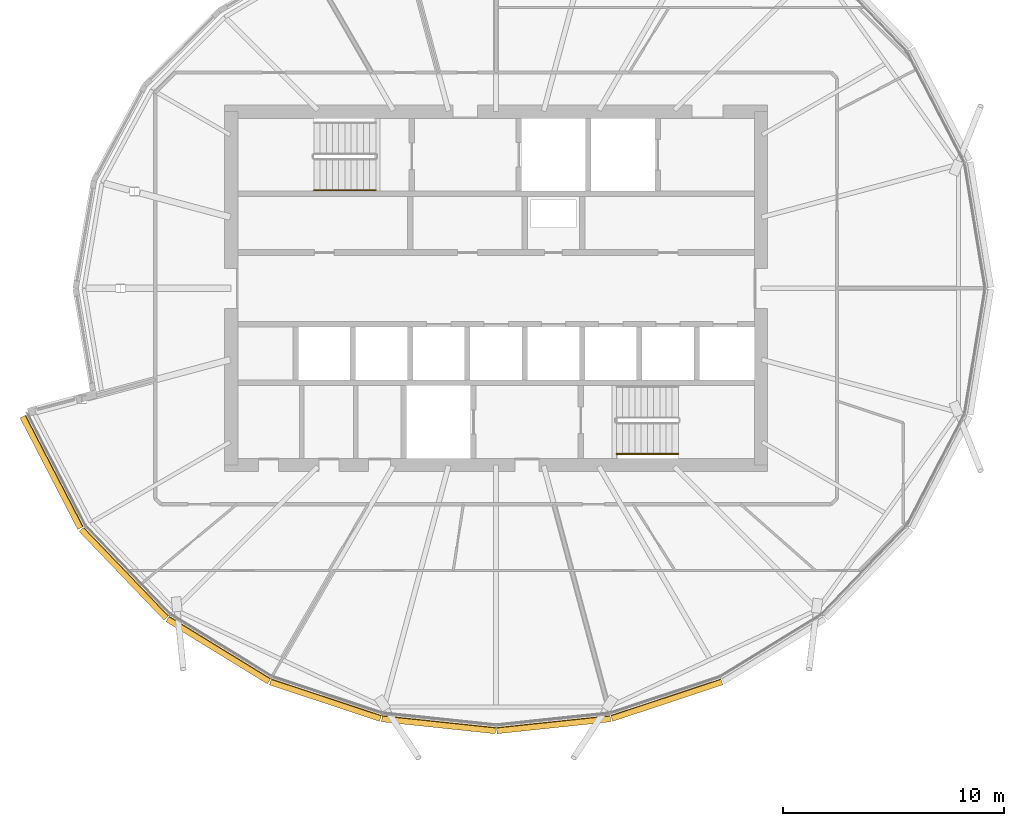
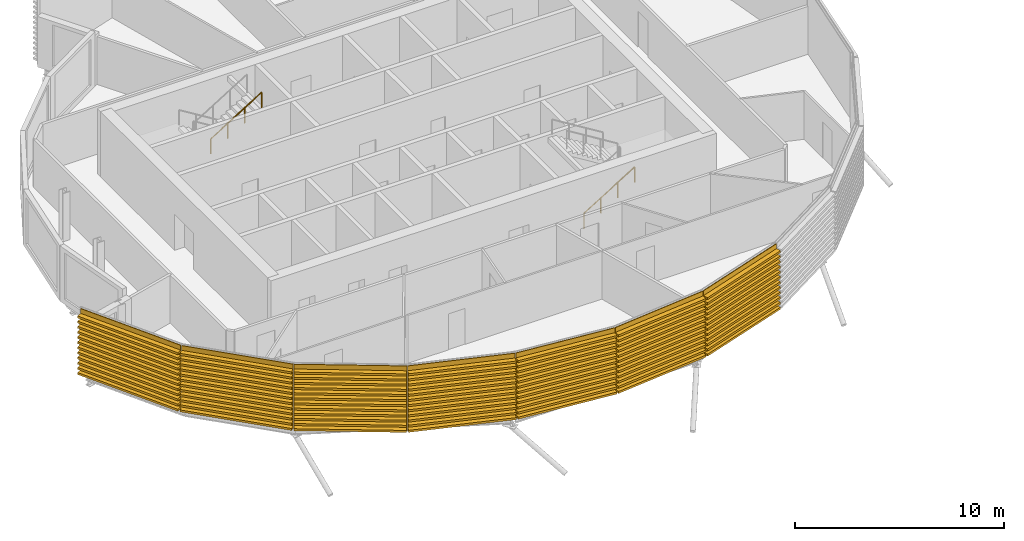
# One storey, part 32 of 37: 7 coverings, 2 railings.
"""IFC4 building model written with IfcOpenShell, lengths in metres."""

from ifc_helpers import new_model, si_unit, direction, frame, origin, origin_2d, place, context, subcontext, project, spatial, polyline, circle, outline, extrude, material, material_profile, profile_set, type_object, element, save


model = new_model("IFC4")

# Units and contexts
model_context = context("Model", 3, precision=1e-05, world=origin(), true_north=direction((0.0, 1.0)))
body_context = subcontext(model_context, "Body", "Model", "MODEL_VIEW")
ifc_project = project(units=[si_unit("LENGTHUNIT", "METRE"), si_unit("AREAUNIT", "SQUARE_METRE"), si_unit("VOLUMEUNIT", "CUBIC_METRE"), si_unit("PLANEANGLEUNIT", "RADIAN"), si_unit("MASSUNIT", "GRAM", prefix="KILO")], contexts=[model_context])

# Site, building, storey
site_placement = place(None, origin())
site = spatial("IfcSite", under=ifc_project, at=site_placement, CompositionType="ELEMENT")
building_placement = place(site_placement, origin())
building = spatial("IfcBuilding", under=site, at=building_placement, Name="Rimbun Link Towers", CompositionType="ELEMENT")
storey_placement = place(building_placement, frame((0.0, 0.0, 177.89990234375)))
storey = spatial("IfcBuildingStorey", under=building, at=storey_placement, Name="L43", CompositionType="ELEMENT", Elevation=177.89990234375)

# Railings
ifc_material_1 = material(Name="Stainless steel grade 316", Category="steel")
railing_type = type_object("IfcRailingType", Name="Stair handrail", PredefinedType="HANDRAIL", material=ifc_material_1)
for number, where, name in (
    (1, (-40.0, 4.449951171875, 2.07275390625), "L43 ST1 stair handrail 2"),
    (2, (-26.300048828125, -7.5, 0.1728515625), "L43 ST2 stair handrail 1"),
):
    element("IfcRailing", number, at=place(storey_placement, frame(where)), inside=storey, type_object=railing_type, Name=name, PredefinedType="HANDRAIL", context=body_context, shape_type="SweptSolid", body=[
        extrude(circle(Radius=0.02392578125, at=origin_2d()), frame((0.0, 0.0, 0.8759765625), z_axis=(0.851089632645, 0.0, 0.525020415988), x_axis=(0.0, 1.0, 0.0)), (0.0, 0.0, 1.0), 3.2900390625),
        extrude(circle(Radius=0.02099609375, at=origin_2d()), origin(), (0.0, 0.0, 1.0), 0.851806640625),
        extrude(circle(Radius=0.02099609375, at=origin_2d()), frame((0.933349609375, 0.0, 0.57568359375)), (0.0, 0.0, 1.0), 0.851806640625),
        extrude(circle(Radius=0.02099609375, at=origin_2d()), frame((1.86669921875, 0.0, 1.151611328125)), (0.0, 0.0, 1.0), 0.851806640625),
        extrude(circle(Radius=0.02099609375, at=origin_2d()), frame((2.800048828125, 0.0, 1.727294921875)), (0.0, 0.0, 1.0), 0.851806640625),
    ])

# Coverings
ifc_material_2 = material(Name="Terracotta", Category="masonry")
ifc_material_profile = material_profile(ifc_material_2, outline(polyline([(0.123046875, 0.0), (0.1630859375, 0.0), (0.1630859375, 0.10009765625), (0.423095703125, 0.10009765625), (0.423095703125, 0.219970703125), (0.1630859375, 0.219970703125), (0.1630859375, 0.39990234375), (0.423095703125, 0.39990234375), (0.423095703125, 0.52001953125), (0.1630859375, 0.52001953125), (0.1630859375, 0.699951171875), (0.423095703125, 0.699951171875), (0.423095703125, 0.820068359375), (0.1630859375, 0.820068359375), (0.1630859375, 1.0), (0.423095703125, 1.0), (0.423095703125, 1.1201171875), (0.1630859375, 1.1201171875), (0.1630859375, 1.300048828125), (0.423095703125, 1.300048828125), (0.423095703125, 1.419921875), (0.1630859375, 1.419921875), (0.1630859375, 1.60009765625), (0.423095703125, 1.60009765625), (0.423095703125, 1.719970703125), (0.1630859375, 1.719970703125), (0.1630859375, 1.89990234375), (0.423095703125, 1.89990234375), (0.423095703125, 2.02001953125), (0.1630859375, 2.02001953125), (0.1630859375, 2.199951171875), (0.423095703125, 2.199951171875), (0.423095703125, 2.320068359375), (0.1630859375, 2.320068359375), (0.1630859375, 2.5), (0.423095703125, 2.5), (0.423095703125, 2.6201171875), (0.1630859375, 2.6201171875), (0.1630859375, 2.800048828125), (0.423095703125, 2.800048828125), (0.423095703125, 2.919921875), (0.1630859375, 2.919921875), (0.1630859375, 3.10009765625), (0.423095703125, 3.10009765625), (0.423095703125, 3.219970703125), (0.1630859375, 3.219970703125), (0.1630859375, 3.39990234375), (0.423095703125, 3.39990234375), (0.423095703125, 3.52001953125), (0.1630859375, 3.52001953125), (0.1630859375, 3.800048828125), (0.123046875, 3.800048828125), (0.123046875, 0.0)])), Name="BAGUETTE 120X300")
ifc_profile_set = profile_set([ifc_material_profile], Name="Terracotta")
covering_type = type_object("IfcCoveringType", Name="TERRACOTTA BAGUETTE 120X300 H3800", PredefinedType="CLADDING", material=ifc_profile_set)
covering_1_placement = place(storey_placement, frame((-50.323486328125, -10.723388671875, 0.0), z_axis=(-0.459578361582, 0.888137224513, 0.0), x_axis=(-0.888137224513, -0.459578361582, 0.0)))
element("IfcCovering", 3, at=covering_1_placement, inside=storey, type_object=covering_type, Name="TERRACOTTA BAGUETTE", PredefinedType="CLADDING", context=body_context, shape_type="SweptSolid", body=[
    extrude(outline(polyline([(0.123046875, 0.0), (0.1630859375, 0.0), (0.1630859375, 0.10009765625), (0.423095703125, 0.10009765625), (0.423095703125, 0.219970703125), (0.1630859375, 0.219970703125), (0.1630859375, 0.39990234375), (0.423095703125, 0.39990234375), (0.423095703125, 0.52001953125), (0.1630859375, 0.52001953125), (0.1630859375, 0.699951171875), (0.423095703125, 0.699951171875), (0.423095703125, 0.820068359375), (0.1630859375, 0.820068359375), (0.1630859375, 1.0), (0.423095703125, 1.0), (0.423095703125, 1.1201171875), (0.1630859375, 1.1201171875), (0.1630859375, 1.300048828125), (0.423095703125, 1.300048828125), (0.423095703125, 1.419921875), (0.1630859375, 1.419921875), (0.1630859375, 1.60009765625), (0.423095703125, 1.60009765625), (0.423095703125, 1.719970703125), (0.1630859375, 1.719970703125), (0.1630859375, 1.89990234375), (0.423095703125, 1.89990234375), (0.423095703125, 2.02001953125), (0.1630859375, 2.02001953125), (0.1630859375, 2.199951171875), (0.423095703125, 2.199951171875), (0.423095703125, 2.320068359375), (0.1630859375, 2.320068359375), (0.1630859375, 2.5), (0.423095703125, 2.5), (0.423095703125, 2.6201171875), (0.1630859375, 2.6201171875), (0.1630859375, 2.800048828125), (0.423095703125, 2.800048828125), (0.423095703125, 2.919921875), (0.1630859375, 2.919921875), (0.1630859375, 3.10009765625), (0.423095703125, 3.10009765625), (0.423095703125, 3.219970703125), (0.1630859375, 3.219970703125), (0.1630859375, 3.39990234375), (0.423095703125, 3.39990234375), (0.423095703125, 3.52001953125), (0.1630859375, 3.52001953125), (0.1630859375, 3.800048828125), (0.123046875, 3.800048828125), (0.123046875, 0.0)])), origin(), (0.0, 0.0, 1.0), 5.6826171875),
])
covering_2_placement = place(storey_placement, frame((-46.481201171875, -14.731201171875, 0.0), z_axis=(-0.692042879884, 0.721856393199, 0.0), x_axis=(-0.721856393199, -0.692042879884, 0.0)))
element("IfcCovering", 4, at=covering_2_placement, inside=storey, type_object=covering_type, Name="TERRACOTTA BAGUETTE", PredefinedType="CLADDING", context=body_context, shape_type="SweptSolid", body=[
    extrude(outline(polyline([(0.123046875, 0.0), (0.1630859375, 0.0), (0.1630859375, 0.10009765625), (0.423095703125, 0.10009765625), (0.423095703125, 0.219970703125), (0.1630859375, 0.219970703125), (0.1630859375, 0.39990234375), (0.423095703125, 0.39990234375), (0.423095703125, 0.52001953125), (0.1630859375, 0.52001953125), (0.1630859375, 0.699951171875), (0.423095703125, 0.699951171875), (0.423095703125, 0.820068359375), (0.1630859375, 0.820068359375), (0.1630859375, 1.0), (0.423095703125, 1.0), (0.423095703125, 1.1201171875), (0.1630859375, 1.1201171875), (0.1630859375, 1.300048828125), (0.423095703125, 1.300048828125), (0.423095703125, 1.419921875), (0.1630859375, 1.419921875), (0.1630859375, 1.60009765625), (0.423095703125, 1.60009765625), (0.423095703125, 1.719970703125), (0.1630859375, 1.719970703125), (0.1630859375, 1.89990234375), (0.423095703125, 1.89990234375), (0.423095703125, 2.02001953125), (0.1630859375, 2.02001953125), (0.1630859375, 2.199951171875), (0.423095703125, 2.199951171875), (0.423095703125, 2.320068359375), (0.1630859375, 2.320068359375), (0.1630859375, 2.5), (0.423095703125, 2.5), (0.423095703125, 2.6201171875), (0.1630859375, 2.6201171875), (0.1630859375, 2.800048828125), (0.423095703125, 2.800048828125), (0.423095703125, 2.919921875), (0.1630859375, 2.919921875), (0.1630859375, 3.10009765625), (0.423095703125, 3.10009765625), (0.423095703125, 3.219970703125), (0.1630859375, 3.219970703125), (0.1630859375, 3.39990234375), (0.423095703125, 3.39990234375), (0.423095703125, 3.52001953125), (0.1630859375, 3.52001953125), (0.1630859375, 3.800048828125), (0.123046875, 3.800048828125), (0.123046875, 0.0)])), origin(), (0.0, 0.0, 1.0), 5.552001953125),
])
covering_3_placement = place(storey_placement, frame((-41.884521484375, -17.5537109375, 0.0), z_axis=(-0.852172287942, 0.523261303426, 0.0), x_axis=(-0.523261303426, -0.852172287942, 0.0)))
element("IfcCovering", 5, at=covering_3_placement, inside=storey, type_object=covering_type, Name="TERRACOTTA BAGUETTE", PredefinedType="CLADDING", context=body_context, shape_type="SweptSolid", body=[
    extrude(outline(polyline([(0.123046875, 0.0), (0.1630859375, 0.0), (0.1630859375, 0.10009765625), (0.423095703125, 0.10009765625), (0.423095703125, 0.219970703125), (0.1630859375, 0.219970703125), (0.1630859375, 0.39990234375), (0.423095703125, 0.39990234375), (0.423095703125, 0.52001953125), (0.1630859375, 0.52001953125), (0.1630859375, 0.699951171875), (0.423095703125, 0.699951171875), (0.423095703125, 0.820068359375), (0.1630859375, 0.820068359375), (0.1630859375, 1.0), (0.423095703125, 1.0), (0.423095703125, 1.1201171875), (0.1630859375, 1.1201171875), (0.1630859375, 1.300048828125), (0.423095703125, 1.300048828125), (0.423095703125, 1.419921875), (0.1630859375, 1.419921875), (0.1630859375, 1.60009765625), (0.423095703125, 1.60009765625), (0.423095703125, 1.719970703125), (0.1630859375, 1.719970703125), (0.1630859375, 1.89990234375), (0.423095703125, 1.89990234375), (0.423095703125, 2.02001953125), (0.1630859375, 2.02001953125), (0.1630859375, 2.199951171875), (0.423095703125, 2.199951171875), (0.423095703125, 2.320068359375), (0.1630859375, 2.320068359375), (0.1630859375, 2.5), (0.423095703125, 2.5), (0.423095703125, 2.6201171875), (0.1630859375, 2.6201171875), (0.1630859375, 2.800048828125), (0.423095703125, 2.800048828125), (0.423095703125, 2.919921875), (0.1630859375, 2.919921875), (0.1630859375, 3.10009765625), (0.423095703125, 3.10009765625), (0.423095703125, 3.219970703125), (0.1630859375, 3.219970703125), (0.1630859375, 3.39990234375), (0.423095703125, 3.39990234375), (0.423095703125, 3.52001953125), (0.1630859375, 3.52001953125), (0.1630859375, 3.800048828125), (0.123046875, 3.800048828125), (0.123046875, 0.0)])), origin(), (0.0, 0.0, 1.0), 5.39404296875),
])
covering_4_placement = place(storey_placement, frame((-36.896484375, -19.20654296875, 0.0), z_axis=(-0.949243976599, 0.314540733277, 0.0), x_axis=(-0.314540733277, -0.949243976599, 0.0)))
element("IfcCovering", 6, at=covering_4_placement, inside=storey, type_object=covering_type, Name="TERRACOTTA BAGUETTE", PredefinedType="CLADDING", context=body_context, shape_type="SweptSolid", body=[
    extrude(outline(polyline([(0.123046875, 0.0), (0.1630859375, 0.0), (0.1630859375, 0.10009765625), (0.423095703125, 0.10009765625), (0.423095703125, 0.219970703125), (0.1630859375, 0.219970703125), (0.1630859375, 0.39990234375), (0.423095703125, 0.39990234375), (0.423095703125, 0.52001953125), (0.1630859375, 0.52001953125), (0.1630859375, 0.699951171875), (0.423095703125, 0.699951171875), (0.423095703125, 0.820068359375), (0.1630859375, 0.820068359375), (0.1630859375, 1.0), (0.423095703125, 1.0), (0.423095703125, 1.1201171875), (0.1630859375, 1.1201171875), (0.1630859375, 1.300048828125), (0.423095703125, 1.300048828125), (0.423095703125, 1.419921875), (0.1630859375, 1.419921875), (0.1630859375, 1.60009765625), (0.423095703125, 1.60009765625), (0.423095703125, 1.719970703125), (0.1630859375, 1.719970703125), (0.1630859375, 1.89990234375), (0.423095703125, 1.89990234375), (0.423095703125, 2.02001953125), (0.1630859375, 2.02001953125), (0.1630859375, 2.199951171875), (0.423095703125, 2.199951171875), (0.423095703125, 2.320068359375), (0.1630859375, 2.320068359375), (0.1630859375, 2.5), (0.423095703125, 2.5), (0.423095703125, 2.6201171875), (0.1630859375, 2.6201171875), (0.1630859375, 2.800048828125), (0.423095703125, 2.800048828125), (0.423095703125, 2.919921875), (0.1630859375, 2.919921875), (0.1630859375, 3.10009765625), (0.423095703125, 3.10009765625), (0.423095703125, 3.219970703125), (0.1630859375, 3.219970703125), (0.1630859375, 3.39990234375), (0.423095703125, 3.39990234375), (0.423095703125, 3.52001953125), (0.1630859375, 3.52001953125), (0.1630859375, 3.800048828125), (0.123046875, 3.800048828125), (0.123046875, 0.0)])), origin(), (0.0, 0.0, 1.0), 5.254638671875),
])
for number, where, z_axis, x_axis, name in (
    (7, (-31.75, -19.74853515625, 0.0), (-0.994500281579, 0.104733900622, 0.0), (-0.104733900622, -0.994500281579, 0.0), "TERRACOTTA BAGUETTE"),
    (8, (-26.603515625, -19.20654296875, 0.0), (-0.994500281579, -0.104733900622, 0.0), (0.104733900622, -0.994500281579, 0.0), "TERRACOTTA BAGUETTE"),
):
    element("IfcCovering", number, at=place(storey_placement, frame(where, z_axis=z_axis, x_axis=x_axis)), inside=storey, type_object=covering_type, Name=name, PredefinedType="CLADDING", context=body_context, shape_type="SweptSolid", body=[
        extrude(outline(polyline([(0.123046875, 0.0), (0.1630859375, 0.0), (0.1630859375, 0.10009765625), (0.423095703125, 0.10009765625), (0.423095703125, 0.219970703125), (0.1630859375, 0.219970703125), (0.1630859375, 0.39990234375), (0.423095703125, 0.39990234375), (0.423095703125, 0.52001953125), (0.1630859375, 0.52001953125), (0.1630859375, 0.699951171875), (0.423095703125, 0.699951171875), (0.423095703125, 0.820068359375), (0.1630859375, 0.820068359375), (0.1630859375, 1.0), (0.423095703125, 1.0), (0.423095703125, 1.1201171875), (0.1630859375, 1.1201171875), (0.1630859375, 1.300048828125), (0.423095703125, 1.300048828125), (0.423095703125, 1.419921875), (0.1630859375, 1.419921875), (0.1630859375, 1.60009765625), (0.423095703125, 1.60009765625), (0.423095703125, 1.719970703125), (0.1630859375, 1.719970703125), (0.1630859375, 1.89990234375), (0.423095703125, 1.89990234375), (0.423095703125, 2.02001953125), (0.1630859375, 2.02001953125), (0.1630859375, 2.199951171875), (0.423095703125, 2.199951171875), (0.423095703125, 2.320068359375), (0.1630859375, 2.320068359375), (0.1630859375, 2.5), (0.423095703125, 2.5), (0.423095703125, 2.6201171875), (0.1630859375, 2.6201171875), (0.1630859375, 2.800048828125), (0.423095703125, 2.800048828125), (0.423095703125, 2.919921875), (0.1630859375, 2.919921875), (0.1630859375, 3.10009765625), (0.423095703125, 3.10009765625), (0.423095703125, 3.219970703125), (0.1630859375, 3.219970703125), (0.1630859375, 3.39990234375), (0.423095703125, 3.39990234375), (0.423095703125, 3.52001953125), (0.1630859375, 3.52001953125), (0.1630859375, 3.800048828125), (0.123046875, 3.800048828125), (0.123046875, 0.0)])), origin(), (0.0, 0.0, 1.0), 5.175048828125),
    ])
covering_5_placement = place(storey_placement, frame((-21.615478515625, -17.5537109375, 0.0), z_axis=(-0.949243976599, -0.314540733277, 0.0), x_axis=(0.314540733277, -0.949243976599, 0.0)))
element("IfcCovering", 9, at=covering_5_placement, inside=storey, type_object=covering_type, Name="TERRACOTTA BAGUETTE", PredefinedType="CLADDING", context=body_context, shape_type="SweptSolid", body=[
    extrude(outline(polyline([(0.123046875, 0.0), (0.1630859375, 0.0), (0.1630859375, 0.10009765625), (0.423095703125, 0.10009765625), (0.423095703125, 0.219970703125), (0.1630859375, 0.219970703125), (0.1630859375, 0.39990234375), (0.423095703125, 0.39990234375), (0.423095703125, 0.52001953125), (0.1630859375, 0.52001953125), (0.1630859375, 0.699951171875), (0.423095703125, 0.699951171875), (0.423095703125, 0.820068359375), (0.1630859375, 0.820068359375), (0.1630859375, 1.0), (0.423095703125, 1.0), (0.423095703125, 1.1201171875), (0.1630859375, 1.1201171875), (0.1630859375, 1.300048828125), (0.423095703125, 1.300048828125), (0.423095703125, 1.419921875), (0.1630859375, 1.419921875), (0.1630859375, 1.60009765625), (0.423095703125, 1.60009765625), (0.423095703125, 1.719970703125), (0.1630859375, 1.719970703125), (0.1630859375, 1.89990234375), (0.423095703125, 1.89990234375), (0.423095703125, 2.02001953125), (0.1630859375, 2.02001953125), (0.1630859375, 2.199951171875), (0.423095703125, 2.199951171875), (0.423095703125, 2.320068359375), (0.1630859375, 2.320068359375), (0.1630859375, 2.5), (0.423095703125, 2.5), (0.423095703125, 2.6201171875), (0.1630859375, 2.6201171875), (0.1630859375, 2.800048828125), (0.423095703125, 2.800048828125), (0.423095703125, 2.919921875), (0.1630859375, 2.919921875), (0.1630859375, 3.10009765625), (0.423095703125, 3.10009765625), (0.423095703125, 3.219970703125), (0.1630859375, 3.219970703125), (0.1630859375, 3.39990234375), (0.423095703125, 3.39990234375), (0.423095703125, 3.52001953125), (0.1630859375, 3.52001953125), (0.1630859375, 3.800048828125), (0.123046875, 3.800048828125), (0.123046875, 0.0)])), origin(), (0.0, 0.0, 1.0), 5.254638671875),
])

save(model, "model.ifc")
